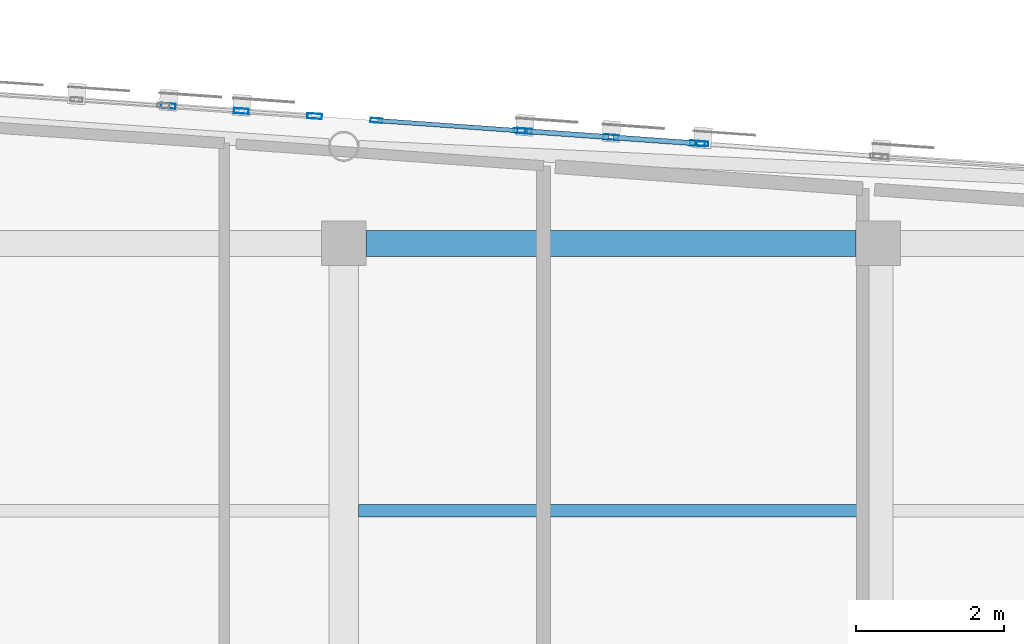
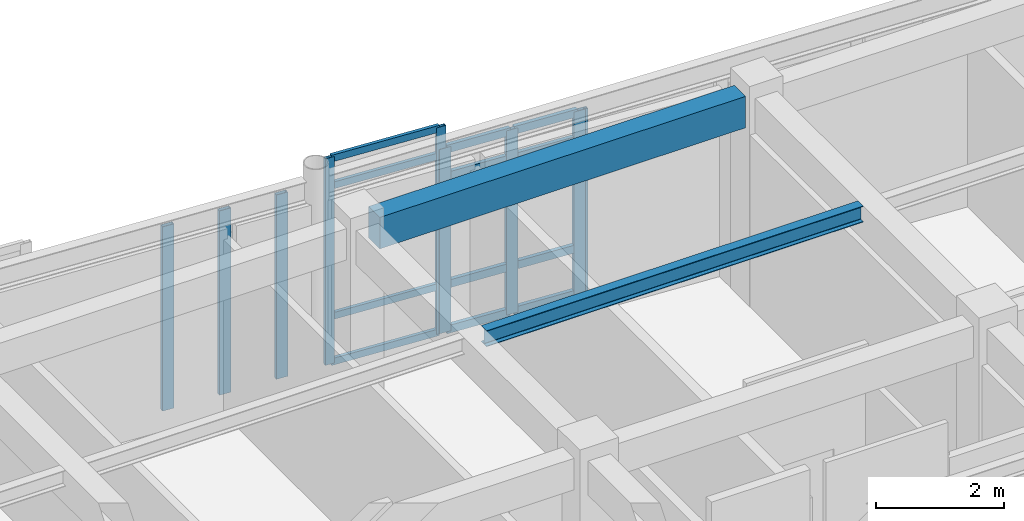
# One storey, part 55 of 113: 21 members, 2 beams, 4 elements without a shape of their own.
"""IFC4 building model written with IfcOpenShell, lengths in metres."""

from ifc_helpers import new_model, si_unit, direction, frame, origin, origin_2d, place, context, subcontext, project, spatial, rectangle, hollow_rectangle, i_section, extrude, material, layer, layer_set, material_profile, profile_set, type_object, element, aggregate, save


model = new_model("IFC4")

# Units and contexts
model_context = context("Model", 3, precision=1e-05, world=origin(), true_north=direction((0.0, 1.0)))
body_context = subcontext(model_context, "Body", "Model", "MODEL_VIEW")
ifc_project = project(units=[si_unit("LENGTHUNIT", "METRE"), si_unit("AREAUNIT", "SQUARE_METRE"), si_unit("VOLUMEUNIT", "CUBIC_METRE"), si_unit("PLANEANGLEUNIT", "RADIAN"), si_unit("MASSUNIT", "GRAM", prefix="KILO")], contexts=[model_context])

# Site, building, storey
site_placement = place(None, origin())
site = spatial("IfcSite", under=ifc_project, at=site_placement, CompositionType="ELEMENT")
building_placement = place(site_placement, origin())
building = spatial("IfcBuilding", under=site, at=building_placement, Name="Carrowvane Square Congress Hotel", CompositionType="ELEMENT")
storey_placement = place(building_placement, frame((0.0, 0.0, 15.0)))
storey = spatial("IfcBuildingStorey", under=building, at=storey_placement, Name="L03", CompositionType="ELEMENT", Elevation=15.0)

# Beams
ifc_material_1 = material(Name="Concrete C35/45", Category="concrete")
ifc_material_profile_1 = material_profile(ifc_material_1, rectangle(XDim=0.35009765625, YDim=0.60009765625, at=origin_2d()), Name="RC 350x600")
ifc_profile_set_1 = profile_set([ifc_material_profile_1], Name="Concrete C35/45")
beam_type_1 = type_object("IfcBeamType", Name="BM-RC-350x600", PredefinedType="BEAM", material=ifc_profile_set_1)
beam_1_placement = place(storey_placement, frame((134.300048828125, 113.39990234375, 3.639892578125), z_axis=(1.0, 0.0, 0.0), x_axis=(0.0, 1.0, 0.0)))
element("IfcBeam", 1, at=beam_1_placement, inside=storey, type_object=beam_type_1, Name="L04 girder R/18-19", PredefinedType="BEAM", context=body_context, shape_type="SweptSolid", body=[
    extrude(rectangle(XDim=0.35009765625, YDim=0.60009765625, at=origin_2d()), origin(), (0.0, 0.0, 1.0), 6.599853515625),
])
ifc_material_2 = material(Name="Steel S355", Category="steel")
ifc_material_profile_2 = material_profile(ifc_material_2, i_section(OverallWidth=0.165771484375, OverallDepth=0.306640625, WebThickness=0.006591796875, FlangeThickness=0.01171875, FilletRadius=0.0087890625, at=origin_2d()), Name="UKB 305x165x46")
ifc_profile_set_2 = profile_set([ifc_material_profile_2], Name="Steel S355")
beam_type_2 = type_object("IfcBeamType", Name="BM-ST-UKB305", PredefinedType="JOIST", material=ifc_profile_set_2)
beam_2_placement = place(storey_placement, frame((134.199951171875, 109.800048828125, 3.78662109375), z_axis=(1.0, 0.0, 0.0), x_axis=(0.0, 1.0, 0.0)))
element("IfcBeam", 2, at=beam_2_placement, inside=storey, type_object=beam_type_2, Name="L04 secondary joist 18-19", PredefinedType="JOIST", context=body_context, shape_type="SweptSolid", body=[
    extrude(i_section(OverallWidth=0.165771484375, OverallDepth=0.306640625, WebThickness=0.006591796875, FlangeThickness=0.01171875, FilletRadius=0.0087890625, at=origin_2d()), origin(), (0.0, 0.0, 1.0), 6.800048828125),
])

# Curtain wall, members
ifc_material_3 = material(Name="Anodised aluminium", Category="aluminium")
ifc_layer_1 = layer(ifc_material_3, 0.162109375)
ifc_layer_set_1 = layer_set([ifc_layer_1], Name="Anodised aluminium")
curtain_wall_type_1 = type_object("IfcCurtainWallType", Name="CW-SYS-1", PredefinedType="NOTDEFINED", material=ifc_layer_set_1)
curtain_wall_1_placement = place(storey_placement, origin())
curtain_wall_1 = element("IfcCurtainWall", 3, at=curtain_wall_1_placement, inside=storey, type_object=curtain_wall_type_1, Name="L03 unitised curtain wall 232", PredefinedType="NOTDEFINED")
ifc_material_4 = material(Name="Anodised aluminium", Category="aluminium")
ifc_material_profile_3 = material_profile(ifc_material_4, hollow_rectangle(XDim=0.06005859375, YDim=0.159912109375, WallThickness=0.00390625, at=origin_2d()), Name="CW-ML 60x160x4")
ifc_profile_set_3 = profile_set([ifc_material_profile_3], Name="Anodised aluminium")
member_type_1 = type_object("IfcMemberType", Name="CW-MUL-1", PredefinedType="MULLION", material=ifc_profile_set_3)
member_1_placement = place(storey_placement, frame((134.4404296875, 115.0546875, 0.0), z_axis=(0.0, 0.0, 1.0), x_axis=(0.070959862453, 0.997479171673, 0.0)))
member_1 = element("IfcMember", 4, at=member_1_placement, type_object=member_type_1, Name="CW-1 mullion 1", PredefinedType="MULLION", context=body_context, shape_type="SweptSolid", body=[
    extrude(hollow_rectangle(XDim=0.06005859375, YDim=0.159912109375, WallThickness=0.00390625, at=origin_2d()), origin(), (0.0, 0.0, 1.0), 3.93994140625),
])
member_2_placement = place(storey_placement, frame((136.3701171875, 114.91748046875, 0.0), z_axis=(0.0, 0.0, 1.0), x_axis=(0.070959862453, 0.997479171673, 0.0)))
member_2 = element("IfcMember", 5, at=member_2_placement, type_object=member_type_1, Name="CW-1 mullion 2", PredefinedType="MULLION", context=body_context, shape_type="SweptSolid", body=[
    extrude(hollow_rectangle(XDim=0.06005859375, YDim=0.159912109375, WallThickness=0.00390625, at=origin_2d()), origin(), (0.0, 0.0, 1.0), 3.93994140625),
])

# Curtain wall, member
ifc_material_5 = material(Name="Anodised aluminium", Category="aluminium")
ifc_layer_2 = layer(ifc_material_5, 0.18603515625)
ifc_layer_set_2 = layer_set([ifc_layer_2], Name="Anodised aluminium")
curtain_wall_type_2 = type_object("IfcCurtainWallType", Name="CW-SYS-3", PredefinedType="NOTDEFINED", material=ifc_layer_set_2)
curtain_wall_2_placement = place(storey_placement, origin())
curtain_wall_2 = element("IfcCurtainWall", 6, at=curtain_wall_2_placement, inside=storey, type_object=curtain_wall_type_2, Name="L03 unitised curtain wall 234", PredefinedType="NOTDEFINED")
member_3_placement = place(storey_placement, frame((138.829833984375, 114.740966796875, 0.0), z_axis=(0.0, 0.0, 1.0), x_axis=(0.071422490945, 0.997446152826, 0.0)))
member_3 = element("IfcMember", 7, at=member_3_placement, type_object=member_type_1, Name="CW-3 mullion 1", PredefinedType="MULLION", context=body_context, shape_type="SweptSolid", body=[
    extrude(hollow_rectangle(XDim=0.06005859375, YDim=0.159912109375, WallThickness=0.00390625, at=origin_2d()), origin(), (0.0, 0.0, 1.0), 3.515625),
])
aggregate(curtain_wall_2, [member_3])

# Curtain wall, members
ifc_material_6 = material(Name="Anodised aluminium", Category="aluminium")
ifc_layer_3 = layer(ifc_material_6, 0.24609375)
ifc_layer_set_3 = layer_set([ifc_layer_3], Name="Anodised aluminium")
curtain_wall_type_3 = type_object("IfcCurtainWallType", Name="CW-SYS-8", PredefinedType="NOTDEFINED", material=ifc_layer_set_3)
curtain_wall_3_placement = place(storey_placement, origin())
curtain_wall_3 = element("IfcCurtainWall", 8, at=curtain_wall_3_placement, inside=storey, type_object=curtain_wall_type_3, Name="L03 unitised curtain wall 231", PredefinedType="NOTDEFINED")
ifc_material_7 = material(Name="Anodised aluminium", Category="aluminium")
ifc_material_profile_4 = material_profile(ifc_material_7, hollow_rectangle(XDim=0.070068359375, YDim=0.199951171875, WallThickness=0.0048828125, at=origin_2d()), Name="CW-ML 70x200x5")
ifc_profile_set_4 = profile_set([ifc_material_profile_4], Name="Anodised aluminium")
member_type_2 = type_object("IfcMemberType", Name="CW-MUL-2", PredefinedType="MULLION", material=ifc_profile_set_4)
member_4_placement = place(storey_placement, frame((131.635009765625, 115.251220703125, 0.0), z_axis=(0.0, 0.0, 1.0), x_axis=(0.069726879118, 0.997566119277, 0.0)))
member_4 = element("IfcMember", 9, at=member_4_placement, type_object=member_type_2, Name="CW-8 mullion 1", PredefinedType="MULLION", context=body_context, shape_type="SweptSolid", body=[
    extrude(hollow_rectangle(XDim=0.070068359375, YDim=0.199951171875, WallThickness=0.0048828125, at=origin_2d()), origin(), (0.0, 0.0, 1.0), 3.515625),
])
member_5_placement = place(storey_placement, frame((132.621337890625, 115.182373046875, 0.0), z_axis=(0.0, 0.0, 1.0), x_axis=(0.069726879118, 0.997566119277, 0.0)))
member_5 = element("IfcMember", 10, at=member_5_placement, type_object=member_type_2, Name="CW-8 mullion 2", PredefinedType="MULLION", context=body_context, shape_type="SweptSolid", body=[
    extrude(hollow_rectangle(XDim=0.070068359375, YDim=0.199951171875, WallThickness=0.0048828125, at=origin_2d()), origin(), (0.0, 0.0, 1.0), 3.515625),
])
member_6_placement = place(storey_placement, frame((133.60791015625, 115.11328125, 0.0), z_axis=(0.0, 0.0, 1.0), x_axis=(0.069726879118, 0.997566119277, 0.0)))
member_6 = element("IfcMember", 11, at=member_6_placement, type_object=member_type_2, Name="CW-8 mullion 3", PredefinedType="MULLION", context=body_context, shape_type="SweptSolid", body=[
    extrude(hollow_rectangle(XDim=0.070068359375, YDim=0.199951171875, WallThickness=0.0048828125, at=origin_2d()), origin(), (0.0, 0.0, 1.0), 3.515625),
])
aggregate(curtain_wall_3, [member_4, member_5, member_6])

ifc_material_8 = material(Name="Anodised aluminium", Category="aluminium")
ifc_layer_4 = layer(ifc_material_8, 0.174072265625)
ifc_layer_set_4 = layer_set([ifc_layer_4], Name="Anodised aluminium")
curtain_wall_type_4 = type_object("IfcCurtainWallType", Name="CW-SYS-2", PredefinedType="NOTDEFINED", material=ifc_layer_set_4)
curtain_wall_4_placement = place(storey_placement, origin())
curtain_wall_4 = element("IfcCurtainWall", 12, at=curtain_wall_4_placement, inside=storey, type_object=curtain_wall_type_4, Name="L03 unitised curtain wall 233", PredefinedType="NOTDEFINED")
member_7_placement = place(storey_placement, frame((136.434814453125, 114.912841796875, 0.0), z_axis=(0.0, 0.0, 1.0), x_axis=(0.071531759512, 0.997438322595, 0.0)))
member_7 = element("IfcMember", 13, at=member_7_placement, type_object=member_type_2, Name="CW-2 mullion 1", PredefinedType="MULLION", context=body_context, shape_type="SweptSolid", body=[
    extrude(hollow_rectangle(XDim=0.070068359375, YDim=0.199951171875, WallThickness=0.0048828125, at=origin_2d()), origin(), (0.0, 0.0, 1.0), 3.515625),
])
member_8_placement = place(storey_placement, frame((137.60009765625, 114.8291015625, 0.0), z_axis=(0.0, 0.0, 1.0), x_axis=(0.071531759512, 0.997438322595, 0.0)))
member_8 = element("IfcMember", 14, at=member_8_placement, type_object=member_type_2, Name="CW-2 mullion 2", PredefinedType="MULLION", context=body_context, shape_type="SweptSolid", body=[
    extrude(hollow_rectangle(XDim=0.070068359375, YDim=0.199951171875, WallThickness=0.0048828125, at=origin_2d()), origin(), (0.0, 0.0, 1.0), 3.515625),
])
member_9_placement = place(storey_placement, frame((138.76513671875, 114.74560546875, 0.0), z_axis=(0.0, 0.0, 1.0), x_axis=(0.071531759512, 0.997438322595, 0.0)))
member_9 = element("IfcMember", 15, at=member_9_placement, type_object=member_type_2, Name="CW-2 mullion 3", PredefinedType="MULLION", context=body_context, shape_type="SweptSolid", body=[
    extrude(hollow_rectangle(XDim=0.070068359375, YDim=0.199951171875, WallThickness=0.0048828125, at=origin_2d()), origin(), (0.0, 0.0, 1.0), 3.515625),
])

# Member
ifc_material_9 = material(Name="Anodised aluminium", Category="aluminium")
ifc_material_profile_5 = material_profile(ifc_material_9, hollow_rectangle(XDim=0.06005859375, YDim=0.1298828125, WallThickness=0.00390625, at=origin_2d()), Name="CW-TR 60x130x4")
ifc_profile_set_5 = profile_set([ifc_material_profile_5], Name="Anodised aluminium")
member_type_3 = type_object("IfcMemberType", Name="CW-TRN-1", PredefinedType="USERDEFINED", material=ifc_profile_set_5)
member_10_placement = place(storey_placement, frame((134.470458984375, 115.052490234375, 0.030029296875), z_axis=(0.997477179268, -0.070987864025, 0.0), x_axis=(0.070987864025, 0.997477179268, 0.0)))
member_10 = element("IfcMember", 16, at=member_10_placement, type_object=member_type_3, Name="CW-1 transom 1.1", ObjectType="TRANSOM", PredefinedType="USERDEFINED", context=body_context, shape_type="SweptSolid", body=[
    extrude(hollow_rectangle(XDim=0.06005859375, YDim=0.1298828125, WallThickness=0.00390625, at=origin_2d()), origin(), (0.0, 0.0, 1.0), 1.874267578125),
])

member_11_placement = place(storey_placement, frame((134.470458984375, 115.052490234375, 0.89990234375), z_axis=(0.997477179268, -0.070987864025, 0.0), x_axis=(0.070987864025, 0.997477179268, 0.0)))
member_11 = element("IfcMember", 17, at=member_11_placement, type_object=member_type_3, Name="CW-1 transom 1.2", ObjectType="TRANSOM", PredefinedType="USERDEFINED", context=body_context, shape_type="SweptSolid", body=[
    extrude(hollow_rectangle(XDim=0.06005859375, YDim=0.1298828125, WallThickness=0.00390625, at=origin_2d()), origin(), (0.0, 0.0, 1.0), 1.874267578125),
])

member_12_placement = place(storey_placement, frame((134.470458984375, 115.052490234375, 3.389892578125), z_axis=(0.997477179268, -0.070987864025, 0.0), x_axis=(0.070987864025, 0.997477179268, 0.0)))
member_12 = element("IfcMember", 18, at=member_12_placement, type_object=member_type_3, Name="CW-1 transom 1.3", ObjectType="TRANSOM", PredefinedType="USERDEFINED", context=body_context, shape_type="SweptSolid", body=[
    extrude(hollow_rectangle(XDim=0.06005859375, YDim=0.1298828125, WallThickness=0.00390625, at=origin_2d()), origin(), (0.0, 0.0, 1.0), 1.874267578125),
])

member_13_placement = place(storey_placement, frame((134.470458984375, 115.052490234375, 3.909912109375), z_axis=(0.997477179268, -0.070987864025, 0.0), x_axis=(0.070987864025, 0.997477179268, 0.0)))
member_13 = element("IfcMember", 19, at=member_13_placement, type_object=member_type_3, Name="CW-1 transom 1.4", ObjectType="TRANSOM", PredefinedType="USERDEFINED", context=body_context, shape_type="SweptSolid", body=[
    extrude(hollow_rectangle(XDim=0.06005859375, YDim=0.1298828125, WallThickness=0.00390625, at=origin_2d()), origin(), (0.0, 0.0, 1.0), 1.874267578125),
])

aggregate(curtain_wall_1, [member_1, member_2, member_10, member_11, member_12, member_13])

ifc_material_10 = material(Name="Anodised aluminium", Category="aluminium")
ifc_material_profile_6 = material_profile(ifc_material_10, hollow_rectangle(XDim=0.070068359375, YDim=0.14990234375, WallThickness=0.0048828125, at=origin_2d()), Name="CW-TR 70x150x5")
ifc_profile_set_6 = profile_set([ifc_material_profile_6], Name="Anodised aluminium")
member_type_4 = type_object("IfcMemberType", Name="CW-TRN-2", PredefinedType="USERDEFINED", material=ifc_profile_set_6)
member_14_placement = place(storey_placement, frame((136.4697265625, 114.91015625, 0.034912109375), z_axis=(0.99745079479, -0.071357634305, 0.0), x_axis=(0.071357634305, 0.99745079479, 0.0)))
member_14 = element("IfcMember", 20, at=member_14_placement, type_object=member_type_4, Name="CW-2 transom 1.1", ObjectType="TRANSOM", PredefinedType="USERDEFINED", context=body_context, shape_type="SweptSolid", body=[
    extrude(hollow_rectangle(XDim=0.070068359375, YDim=0.14990234375, WallThickness=0.0048828125, at=origin_2d()), origin(), (0.0, 0.0, 1.0), 1.09814453125),
])

member_15_placement = place(storey_placement, frame((136.4697265625, 114.91015625, 0.89990234375), z_axis=(0.99745079479, -0.071357634305, 0.0), x_axis=(0.071357634305, 0.99745079479, 0.0)))
member_15 = element("IfcMember", 21, at=member_15_placement, type_object=member_type_4, Name="CW-2 transom 1.2", ObjectType="TRANSOM", PredefinedType="USERDEFINED", context=body_context, shape_type="SweptSolid", body=[
    extrude(hollow_rectangle(XDim=0.070068359375, YDim=0.14990234375, WallThickness=0.0048828125, at=origin_2d()), origin(), (0.0, 0.0, 1.0), 1.09814453125),
])

member_16_placement = place(storey_placement, frame((136.4697265625, 114.91015625, 2.965576171875), z_axis=(0.99745079479, -0.071357634305, 0.0), x_axis=(0.071357634305, 0.99745079479, 0.0)))
member_16 = element("IfcMember", 22, at=member_16_placement, type_object=member_type_4, Name="CW-2 transom 1.3", ObjectType="TRANSOM", PredefinedType="USERDEFINED", context=body_context, shape_type="SweptSolid", body=[
    extrude(hollow_rectangle(XDim=0.070068359375, YDim=0.14990234375, WallThickness=0.0048828125, at=origin_2d()), origin(), (0.0, 0.0, 1.0), 1.09814453125),
])

member_17_placement = place(storey_placement, frame((136.4697265625, 114.91015625, 3.480712890625), z_axis=(0.99745079479, -0.071357634305, 0.0), x_axis=(0.071357634305, 0.99745079479, 0.0)))
member_17 = element("IfcMember", 23, at=member_17_placement, type_object=member_type_4, Name="CW-2 transom 1.4", ObjectType="TRANSOM", PredefinedType="USERDEFINED", context=body_context, shape_type="SweptSolid", body=[
    extrude(hollow_rectangle(XDim=0.070068359375, YDim=0.14990234375, WallThickness=0.0048828125, at=origin_2d()), origin(), (0.0, 0.0, 1.0), 1.09814453125),
])

member_18_placement = place(storey_placement, frame((137.635009765625, 114.82666015625, 0.034912109375), z_axis=(0.997433808996, -0.071594669304, 0.0), x_axis=(0.071594669304, 0.997433808996, 0.0)))
member_18 = element("IfcMember", 24, at=member_18_placement, type_object=member_type_4, Name="CW-2 transom 2.1", ObjectType="TRANSOM", PredefinedType="USERDEFINED", context=body_context, shape_type="SweptSolid", body=[
    extrude(hollow_rectangle(XDim=0.070068359375, YDim=0.14990234375, WallThickness=0.0048828125, at=origin_2d()), origin(), (0.0, 0.0, 1.0), 1.09814453125),
])

member_19_placement = place(storey_placement, frame((137.635009765625, 114.82666015625, 0.89990234375), z_axis=(0.997433808996, -0.071594669304, 0.0), x_axis=(0.071594669304, 0.997433808996, 0.0)))
member_19 = element("IfcMember", 25, at=member_19_placement, type_object=member_type_4, Name="CW-2 transom 2.2", ObjectType="TRANSOM", PredefinedType="USERDEFINED", context=body_context, shape_type="SweptSolid", body=[
    extrude(hollow_rectangle(XDim=0.070068359375, YDim=0.14990234375, WallThickness=0.0048828125, at=origin_2d()), origin(), (0.0, 0.0, 1.0), 1.09814453125),
])

member_20_placement = place(storey_placement, frame((137.635009765625, 114.82666015625, 2.965576171875), z_axis=(0.997433808996, -0.071594669304, 0.0), x_axis=(0.071594669304, 0.997433808996, 0.0)))
member_20 = element("IfcMember", 26, at=member_20_placement, type_object=member_type_4, Name="CW-2 transom 2.3", ObjectType="TRANSOM", PredefinedType="USERDEFINED", context=body_context, shape_type="SweptSolid", body=[
    extrude(hollow_rectangle(XDim=0.070068359375, YDim=0.14990234375, WallThickness=0.0048828125, at=origin_2d()), origin(), (0.0, 0.0, 1.0), 1.09814453125),
])

member_21_placement = place(storey_placement, frame((137.635009765625, 114.82666015625, 3.480712890625), z_axis=(0.997433808996, -0.071594669304, 0.0), x_axis=(0.071594669304, 0.997433808996, 0.0)))
member_21 = element("IfcMember", 27, at=member_21_placement, type_object=member_type_4, Name="CW-2 transom 2.4", ObjectType="TRANSOM", PredefinedType="USERDEFINED", context=body_context, shape_type="SweptSolid", body=[
    extrude(hollow_rectangle(XDim=0.070068359375, YDim=0.14990234375, WallThickness=0.0048828125, at=origin_2d()), origin(), (0.0, 0.0, 1.0), 1.09814453125),
])

aggregate(curtain_wall_4, [member_7, member_8, member_9, member_14, member_15, member_16, member_17, member_18, member_19, member_20, member_21])

save(model, "model.ifc")
